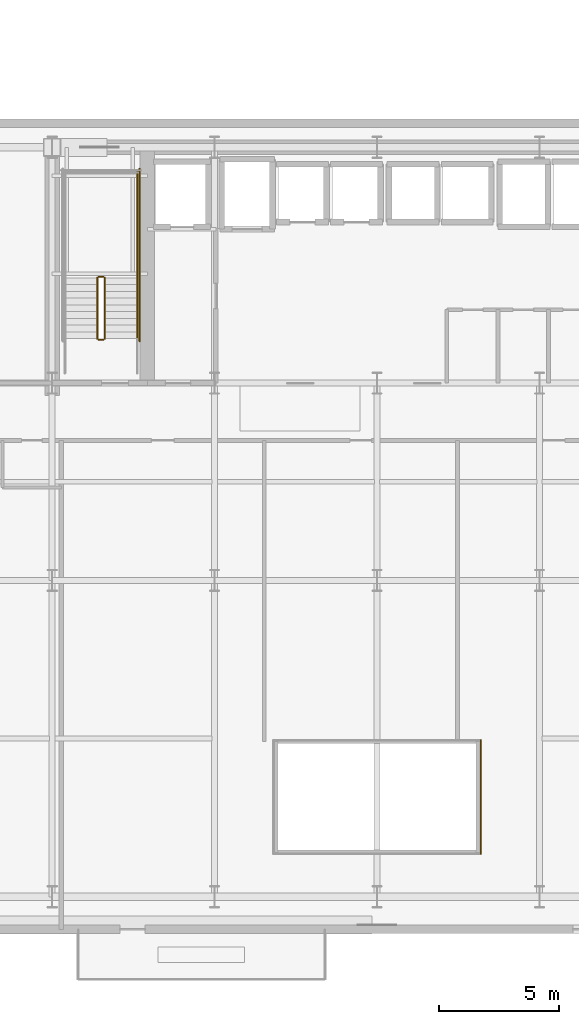
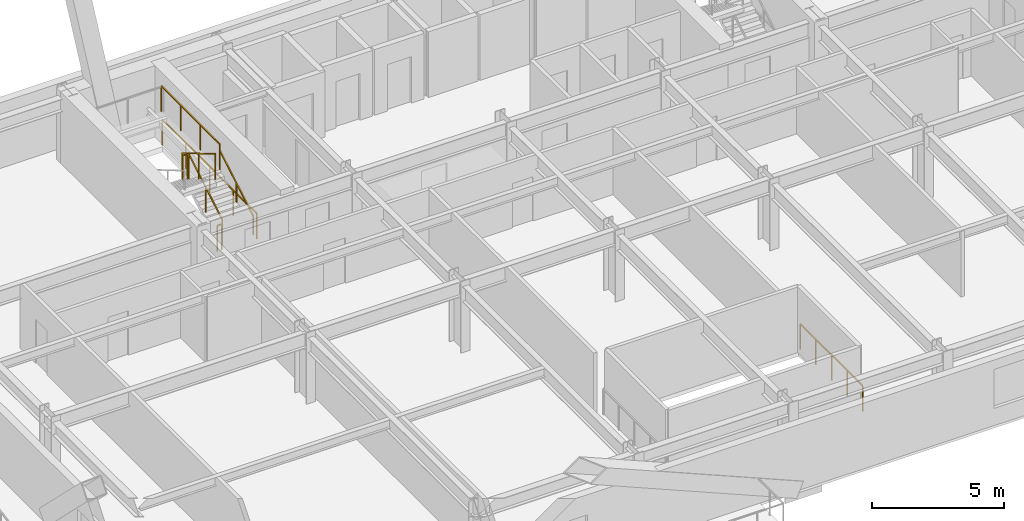
# One storey, part 12 of 18: 8 railings.
"""IFC4 building model written with IfcOpenShell, lengths in metres."""

from ifc_helpers import new_model, si_unit, direction, frame, origin, origin_2d, place, context, subcontext, project, spatial, rectangle, extrude, material, type_object, element, save


model = new_model("IFC4")

# Units and contexts
model_context = context("Model", 3, precision=1e-05, world=origin(), true_north=direction((0.0, 1.0)))
body_context = subcontext(model_context, "Body", "Model", "MODEL_VIEW")
ifc_project = project(units=[si_unit("LENGTHUNIT", "METRE"), si_unit("AREAUNIT", "SQUARE_METRE"), si_unit("VOLUMEUNIT", "CUBIC_METRE"), si_unit("PLANEANGLEUNIT", "RADIAN"), si_unit("MASSUNIT", "GRAM", prefix="KILO")], contexts=[model_context])

# Site, building, storey
site_placement = place(None, origin())
site = spatial("IfcSite", under=ifc_project, at=site_placement, CompositionType="ELEMENT")
building_placement = place(site_placement, origin())
building = spatial("IfcBuilding", under=site, at=building_placement, Name="Haevon Station Towers", CompositionType="ELEMENT")
storey_placement = place(building_placement, frame((0.0, 0.0, 60.300048828125)))
storey = spatial("IfcBuildingStorey", under=building, at=storey_placement, Name="L15", CompositionType="ELEMENT", Elevation=60.300048828125)

# Railings
ifc_material = material(Name="Steel S355", Category="steel")
railing_type_1 = type_object("IfcRailingType", Name="BAL-ATR1200", PredefinedType="BALUSTRADE", material=ifc_material)
railing_1_placement = place(storey_placement, frame((41.80517578125, 18.642333984375, 0.0)))
element("IfcRailing", 1, at=railing_1_placement, inside=storey, type_object=railing_type_1, Name="L15 Atrium Void Balustrade 2", PredefinedType="BALUSTRADE", context=body_context, shape_type="SweptSolid", body=[
    extrude(rectangle(XDim=0.048095703125, YDim=0.048095703125, at=origin_2d()), frame((0.0, 0.0, 1.17578125), z_axis=(0.0, 1.0, 0.0), x_axis=(-1.0, 0.0, 0.0)), (0.0, 0.0, 1.0), 4.71533203125),
    extrude(rectangle(XDim=0.0419921875, YDim=0.0419921875, at=origin_2d()), origin(), (0.0, 0.0, 1.0), 1.15185546875),
    extrude(rectangle(XDim=0.0419921875, YDim=0.0419921875, at=origin_2d()), frame((0.0, 1.1787109375, 0.0)), (0.0, 0.0, 1.0), 1.15185546875),
    extrude(rectangle(XDim=0.0419921875, YDim=0.0419921875, at=origin_2d()), frame((0.0, 2.357666015625, 0.0)), (0.0, 0.0, 1.0), 1.15185546875),
    extrude(rectangle(XDim=0.0419921875, YDim=0.0419921875, at=origin_2d()), frame((0.0, 3.53662109375, 0.0)), (0.0, 0.0, 1.0), 1.15185546875),
    extrude(rectangle(XDim=0.0419921875, YDim=0.0419921875, at=origin_2d()), frame((0.0, 4.71533203125, 0.0)), (0.0, 0.0, 1.0), 1.15185546875),
])
railing_type_2 = type_object("IfcRailingType", Name="GRD-STR1200", PredefinedType="GUARDRAIL", material=ifc_material)
railing_2_placement = place(storey_placement, frame((26.179931640625, 40.050048828125, 0.1650390625)))
element("IfcRailing", 2, at=railing_2_placement, inside=storey, type_object=railing_type_2, Name="L15 ST1 Stair Guard 1", PredefinedType="GUARDRAIL", context=body_context, shape_type="SweptSolid", body=[
    extrude(rectangle(XDim=0.048095703125, YDim=0.048095703125, at=origin_2d()), frame((0.0, 0.0, 1.17578125), z_axis=(0.0, 0.861560626758, 0.507654692109), x_axis=(-1.0, 0.0, 0.0)), (0.0, 0.0, 1.0), 2.925048828125),
    extrude(rectangle(XDim=0.0419921875, YDim=0.0419921875, at=origin_2d()), origin(), (0.0, 0.0, 1.0), 1.15185546875),
    extrude(rectangle(XDim=0.0419921875, YDim=0.0419921875, at=origin_2d()), frame((0.0, 1.260009765625, 0.742431640625)), (0.0, 0.0, 1.0), 1.15185546875),
    extrude(rectangle(XDim=0.0419921875, YDim=0.0419921875, at=origin_2d()), frame((0.0, 2.52001953125, 1.48486328125)), (0.0, 0.0, 1.0), 1.15185546875),
])
railing_3_placement = place(storey_placement, frame((26.1298828125, 42.6201171875, 1.64990234375)))
element("IfcRailing", 3, at=railing_3_placement, inside=storey, type_object=railing_type_2, Name="L15 ST1 Stair Guard 2", PredefinedType="GUARDRAIL", context=body_context, shape_type="SweptSolid", body=[
    extrude(rectangle(XDim=0.048095703125, YDim=0.048095703125, at=origin_2d()), frame((0.0, 0.0, 1.17578125), z_axis=(-1.0, 0.0, 0.0), x_axis=(0.0, -1.0, 0.0)), (0.0, 0.0, 1.0), 0.199951171875),
    extrude(rectangle(XDim=0.0419921875, YDim=0.0419921875, at=origin_2d()), origin(), (0.0, 0.0, 1.0), 1.15185546875),
    extrude(rectangle(XDim=0.0419921875, YDim=0.0419921875, at=origin_2d()), frame((-0.199951171875, 0.0, 0.0)), (0.0, 0.0, 1.0), 1.15185546875),
])
railing_4_placement = place(storey_placement, frame((27.530029296875, 42.570068359375, 1.64990234375)))
element("IfcRailing", 4, at=railing_4_placement, inside=storey, type_object=railing_type_2, Name="L15 ST1 Stair Guard 3", PredefinedType="GUARDRAIL", context=body_context, shape_type="SweptSolid", body=[
    extrude(rectangle(XDim=0.048095703125, YDim=0.048095703125, at=origin_2d()), frame((0.0, 0.0, 1.17578125), z_axis=(0.0, 1.0, 0.0), x_axis=(-1.0, 0.0, 0.0)), (0.0, 0.0, 1.0), 4.429931640625),
    extrude(rectangle(XDim=0.0419921875, YDim=0.0419921875, at=origin_2d()), origin(), (0.0, 0.0, 1.0), 1.15185546875),
    extrude(rectangle(XDim=0.0419921875, YDim=0.0419921875, at=origin_2d()), frame((0.0, 1.4765625, 0.0)), (0.0, 0.0, 1.0), 1.15185546875),
    extrude(rectangle(XDim=0.0419921875, YDim=0.0419921875, at=origin_2d()), frame((0.0, 2.953369140625, 0.0)), (0.0, 0.0, 1.0), 1.15185546875),
    extrude(rectangle(XDim=0.0419921875, YDim=0.0419921875, at=origin_2d()), frame((0.0, 4.429931640625, 0.0)), (0.0, 0.0, 1.0), 1.15185546875),
])
railing_5_placement = place(storey_placement, frame((25.8798828125, 42.570068359375, 1.81494140625)))
element("IfcRailing", 5, at=railing_5_placement, inside=storey, type_object=railing_type_2, Name="L15 ST1 Stair Guard 6", PredefinedType="GUARDRAIL", context=body_context, shape_type="SweptSolid", body=[
    extrude(rectangle(XDim=0.048095703125, YDim=0.048095703125, at=origin_2d()), frame((0.0, 0.0, 1.17578125), z_axis=(0.0, -0.86152411907, 0.507716645641), x_axis=(1.0, 0.0, 0.0)), (0.0, 0.0, 1.0), 2.925048828125),
    extrude(rectangle(XDim=0.0419921875, YDim=0.0419921875, at=origin_2d()), origin(), (0.0, 0.0, 1.0), 1.15185546875),
    extrude(rectangle(XDim=0.0419921875, YDim=0.0419921875, at=origin_2d()), frame((0.0, -1.260009765625, 0.74267578125)), (0.0, 0.0, 1.0), 1.15185546875),
    extrude(rectangle(XDim=0.0419921875, YDim=0.0419921875, at=origin_2d()), frame((0.0, -2.52001953125, 1.485107421875)), (0.0, 0.0, 1.0), 1.15185546875),
])
railing_6_placement = place(storey_placement, frame((26.1298828125, 40.0, 0.0)))
element("IfcRailing", 6, at=railing_6_placement, inside=storey, type_object=railing_type_2, Name="L15 ST1 Stair Guard 7", PredefinedType="GUARDRAIL", context=body_context, shape_type="SweptSolid", body=[
    extrude(rectangle(XDim=0.048095703125, YDim=0.048095703125, at=origin_2d()), frame((0.0, 0.0, 1.17578125), z_axis=(-1.0, 0.0, 0.0), x_axis=(0.0, -1.0, 0.0)), (0.0, 0.0, 1.0), 0.199951171875),
    extrude(rectangle(XDim=0.0419921875, YDim=0.0419921875, at=origin_2d()), origin(), (0.0, 0.0, 1.0), 1.15185546875),
    extrude(rectangle(XDim=0.0419921875, YDim=0.0419921875, at=origin_2d()), frame((-0.199951171875, 0.0, 0.0)), (0.0, 0.0, 1.0), 1.15185546875),
])
railing_7_placement = place(storey_placement, frame((27.6298828125, 39.949951171875, 0.0)))
element("IfcRailing", 7, at=railing_7_placement, inside=storey, type_object=railing_type_2, Name="L15 ST1 Stair Guard 10", PredefinedType="GUARDRAIL", context=body_context, shape_type="SweptSolid", body=[
    extrude(rectangle(XDim=0.048095703125, YDim=0.048095703125, at=origin_2d()), frame((0.0, 0.0, 1.17578125), z_axis=(0.0, 1.0, 0.0), x_axis=(-1.0, 0.0, 0.0)), (0.0, 0.0, 1.0), 7.150146484375),
    extrude(rectangle(XDim=0.0419921875, YDim=0.0419921875, at=origin_2d()), origin(), (0.0, 0.0, 1.0), 1.15185546875),
    extrude(rectangle(XDim=0.0419921875, YDim=0.0419921875, at=origin_2d()), frame((0.0, 1.78759765625, 0.0)), (0.0, 0.0, 1.0), 1.15185546875),
    extrude(rectangle(XDim=0.0419921875, YDim=0.0419921875, at=origin_2d()), frame((0.0, 3.5751953125, 0.0)), (0.0, 0.0, 1.0), 1.15185546875),
    extrude(rectangle(XDim=0.0419921875, YDim=0.0419921875, at=origin_2d()), frame((0.0, 5.362548828125, 0.0)), (0.0, 0.0, 1.0), 1.15185546875),
    extrude(rectangle(XDim=0.0419921875, YDim=0.0419921875, at=origin_2d()), frame((0.0, 7.150146484375, 0.0)), (0.0, 0.0, 1.0), 1.15185546875),
])
railing_type_3 = type_object("IfcRailingType", Name="HND-STR900", PredefinedType="HANDRAIL", material=ifc_material)
railing_8_placement = place(storey_placement, frame((27.530029296875, 40.050048828125, 0.1650390625)))
element("IfcRailing", 8, at=railing_8_placement, inside=storey, type_object=railing_type_3, Name="L15 ST1 Stair Handrail 1", PredefinedType="HANDRAIL", context=body_context, shape_type="SweptSolid", body=[
    extrude(rectangle(XDim=0.048095703125, YDim=0.048095703125, at=origin_2d()), frame((0.0, 0.0, 0.8759765625), z_axis=(0.0, 0.861560626758, 0.507654692109), x_axis=(-1.0, 0.0, 0.0)), (0.0, 0.0, 1.0), 2.925048828125),
    extrude(rectangle(XDim=0.0419921875, YDim=0.0419921875, at=origin_2d()), origin(), (0.0, 0.0, 1.0), 0.851806640625),
    extrude(rectangle(XDim=0.0419921875, YDim=0.0419921875, at=origin_2d()), frame((0.0, 1.260009765625, 0.742431640625)), (0.0, 0.0, 1.0), 0.851806640625),
    extrude(rectangle(XDim=0.0419921875, YDim=0.0419921875, at=origin_2d()), frame((0.0, 2.52001953125, 1.48486328125)), (0.0, 0.0, 1.0), 0.851806640625),
])

save(model, "model.ifc")
